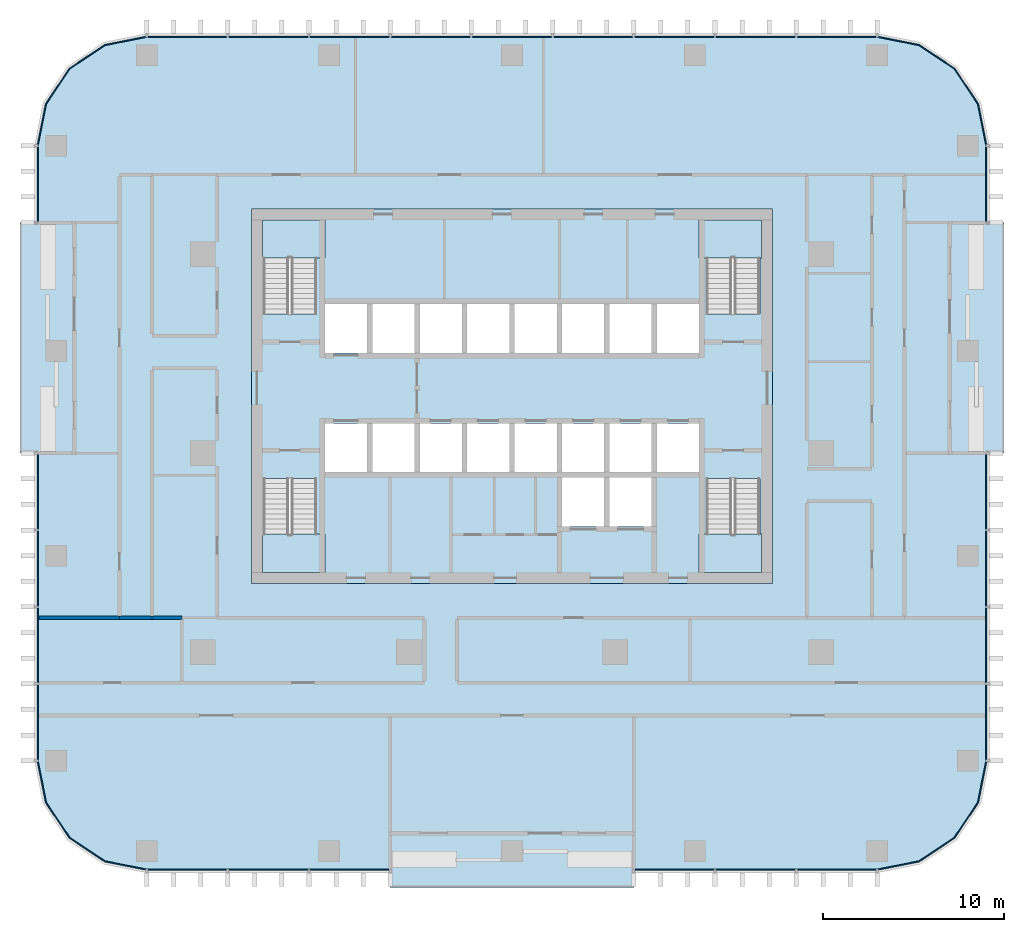
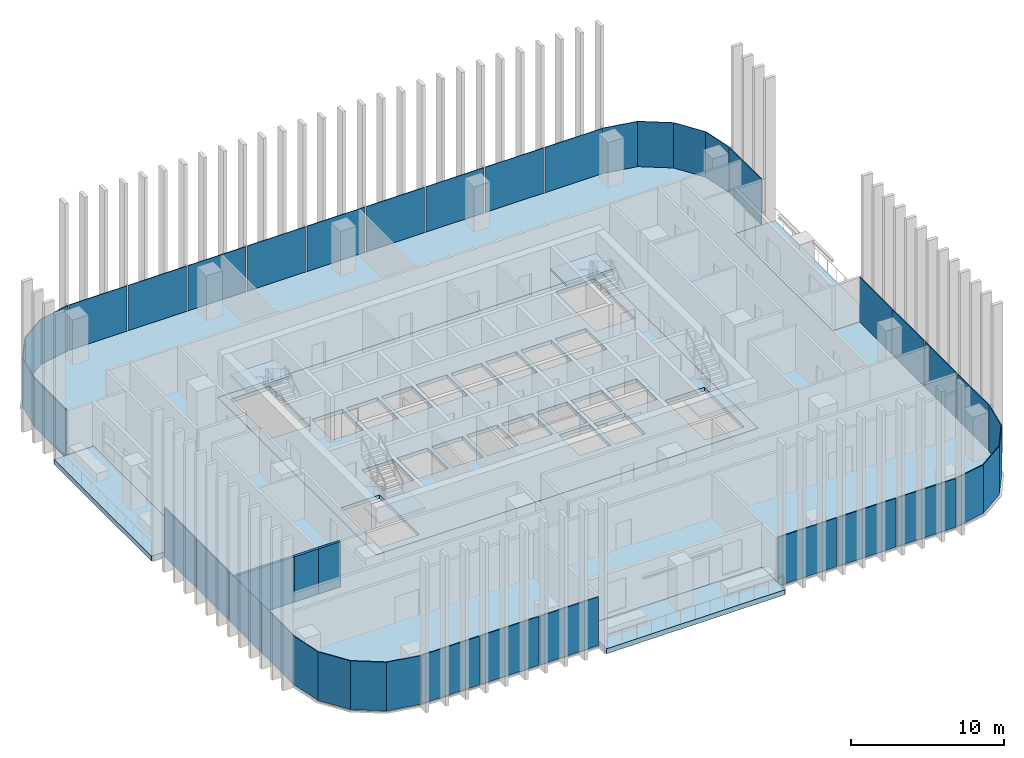
# One storey, part 6 of 15: 29 plates, 9 slabs, 3 walls, 15 elements without a shape of their own.
"""IFC4 building model written with IfcOpenShell, lengths in metres."""

from ifc_helpers import new_model, si_unit, direction, frame, frame_2d, origin, origin_2d, place, context, subcontext, project, spatial, polyline, rectangle, outline, extrude, material, layer, layer_set, type_object, element, aggregate, save


model = new_model("IFC4")

# Units and contexts
model_context = context("Model", 3, precision=1e-05, world=origin(), true_north=direction((0.0, 1.0)))
body_context = subcontext(model_context, "Body", "Model", "MODEL_VIEW")
ifc_project = project(units=[si_unit("LENGTHUNIT", "METRE"), si_unit("AREAUNIT", "SQUARE_METRE"), si_unit("VOLUMEUNIT", "CUBIC_METRE"), si_unit("PLANEANGLEUNIT", "RADIAN"), si_unit("MASSUNIT", "GRAM", prefix="KILO")], contexts=[model_context])

# Site, building, storey
site_placement = place(None, origin())
site = spatial("IfcSite", under=ifc_project, at=site_placement, CompositionType="ELEMENT")
building_placement = place(site_placement, origin())
building = spatial("IfcBuilding", under=site, at=building_placement, Name="Mopane Tessera Tower", CompositionType="ELEMENT")
storey_placement = place(building_placement, frame((0.0, 0.0, 169.0)))
storey = spatial("IfcBuildingStorey", under=building, at=storey_placement, Name="L34", CompositionType="ELEMENT", Elevation=169.0)

# Slab
ifc_material_1 = material(Name="Concrete C40/50", Category="concrete")
ifc_layer_1 = layer(ifc_material_1, 0.300048828125)
ifc_layer_set_1 = layer_set([ifc_layer_1], Name="Concrete C40/50")
slab_type_1 = type_object("IfcSlabType", Name="Core floor slab 300 mm", PredefinedType="FLOOR", material=ifc_layer_set_1)
slab_1_placement = place(storey_placement, frame((0.0, 0.0, -0.300048828125)))
element("IfcSlab", 1, at=slab_1_placement, inside=storey, type_object=slab_type_1, Name="L34 core floor slab", PredefinedType="FLOOR", context=body_context, shape_type="SweptSolid", body=[
    extrude(outline(polyline([(-14.39990234375, -7.199951171875), (14.39990234375, -7.199951171875), (14.39990234375, 13.5), (-14.39990234375, 13.5), (-14.39990234375, -7.199951171875)]), holes=[polyline([(-10.35009765625, -1.050048828125), (-8.02490234375, -1.050048828125), (-8.02490234375, 1.64990234375), (-10.35009765625, 1.64990234375), (-10.35009765625, -1.050048828125)]), polyline([(-7.72509765625, -1.050048828125), (-5.39990234375, -1.050048828125), (-5.39990234375, 1.64990234375), (-7.72509765625, 1.64990234375), (-7.72509765625, -1.050048828125)]), polyline([(-5.10009765625, -1.050048828125), (-2.77490234375, -1.050048828125), (-2.77490234375, 1.64990234375), (-5.10009765625, 1.64990234375), (-5.10009765625, -1.050048828125)]), polyline([(-2.47509765625, -1.050048828125), (-0.14990234375, -1.050048828125), (-0.14990234375, 1.64990234375), (-2.47509765625, 1.64990234375), (-2.47509765625, -1.050048828125)]), polyline([(0.14990234375, -1.050048828125), (2.47509765625, -1.050048828125), (2.47509765625, 1.64990234375), (0.14990234375, 1.64990234375), (0.14990234375, -1.050048828125)]), polyline([(2.77490234375, -1.050048828125), (5.10009765625, -1.050048828125), (5.10009765625, 1.64990234375), (2.77490234375, 1.64990234375), (2.77490234375, -1.050048828125)]), polyline([(5.39990234375, -1.050048828125), (7.72509765625, -1.050048828125), (7.72509765625, 1.64990234375), (5.39990234375, 1.64990234375), (5.39990234375, -1.050048828125)]), polyline([(8.02490234375, -1.050048828125), (10.35009765625, -1.050048828125), (10.35009765625, 1.64990234375), (8.02490234375, 1.64990234375), (8.02490234375, -1.050048828125)]), polyline([(-10.35009765625, 5.550048828125), (-8.02490234375, 5.550048828125), (-8.02490234375, 8.25), (-10.35009765625, 8.25), (-10.35009765625, 5.550048828125)]), polyline([(-7.72509765625, 5.550048828125), (-5.39990234375, 5.550048828125), (-5.39990234375, 8.25), (-7.72509765625, 8.25), (-7.72509765625, 5.550048828125)]), polyline([(-5.10009765625, 5.550048828125), (-2.77490234375, 5.550048828125), (-2.77490234375, 8.25), (-5.10009765625, 8.25), (-5.10009765625, 5.550048828125)]), polyline([(-2.47509765625, 5.550048828125), (-0.14990234375, 5.550048828125), (-0.14990234375, 8.25), (-2.47509765625, 8.25), (-2.47509765625, 5.550048828125)]), polyline([(0.14990234375, 5.550048828125), (2.47509765625, 5.550048828125), (2.47509765625, 8.25), (0.14990234375, 8.25), (0.14990234375, 5.550048828125)]), polyline([(2.77490234375, 5.550048828125), (5.10009765625, 5.550048828125), (5.10009765625, 8.25), (2.77490234375, 8.25), (2.77490234375, 5.550048828125)]), polyline([(5.39990234375, 5.550048828125), (7.72509765625, 5.550048828125), (7.72509765625, 8.25), (5.39990234375, 8.25), (5.39990234375, 5.550048828125)]), polyline([(8.02490234375, 5.550048828125), (10.35009765625, 5.550048828125), (10.35009765625, 8.25), (8.02490234375, 8.25), (8.02490234375, 5.550048828125)]), polyline([(2.77490234375, -4.050048828125), (5.10009765625, -4.050048828125), (5.10009765625, -1.35009765625), (2.77490234375, -1.35009765625), (2.77490234375, -4.050048828125)]), polyline([(5.39990234375, -4.050048828125), (7.72509765625, -4.050048828125), (7.72509765625, -1.35009765625), (5.39990234375, -1.35009765625), (5.39990234375, -4.050048828125)]), polyline([(-13.75, -1.405029296875), (-13.75, -6.60009765625), (-10.800048828125, -6.60009765625), (-10.800048828125, -1.405029296875), (-13.75, -1.405029296875)]), polyline([(-10.800048828125, 7.705078125), (-10.800048828125, 12.89990234375), (-13.75, 12.89990234375), (-13.75, 7.705078125), (-10.800048828125, 7.705078125)]), polyline([(10.75, -1.405029296875), (10.75, -6.60009765625), (13.699951171875, -6.60009765625), (13.699951171875, -1.405029296875), (10.75, -1.405029296875)]), polyline([(13.699951171875, 7.705078125), (13.699951171875, 12.89990234375), (10.75, 12.89990234375), (10.75, 7.705078125), (13.699951171875, 7.705078125)])]), origin(), (0.0, 0.0, 1.0), 0.300048828125),
])

# Stair, slab
ifc_material_2 = material(Name="Concrete C50/60", Category="concrete")
stair_type = type_object("IfcStairType", Name="Escape stair 1400 mm, riser 167 mm", PredefinedType="HALF_TURN_STAIR", material=ifc_material_2)
stair_1_placement = place(storey_placement, origin())
stair_1 = element("IfcStair", 2, at=stair_1_placement, inside=storey, type_object=stair_type, Name="L34 Escape stair south-west", PredefinedType="HALF_TURN_STAIR")
ifc_material_3 = material(Name="Concrete C50/60", Category="concrete")
ifc_layer_2 = layer(ifc_material_3, 0.199951171875)
ifc_layer_set_2 = layer_set([ifc_layer_2], Name="Concrete C50/60")
slab_type_2 = type_object("IfcSlabType", Name="Escape stair landing 200 mm", PredefinedType="LANDING", material=ifc_layer_set_2)
slab_2_placement = place(storey_placement, frame((0.0, 0.0, 1.800048828125)))
slab_2 = element("IfcSlab", 3, at=slab_2_placement, type_object=slab_type_2, Name="ST1 landing 1", PredefinedType="LANDING", context=body_context, shape_type="SweptSolid", body=[
    extrude(outline(polyline([(-13.800048828125, -4.47998046875), (-13.800048828125, -6.60009765625), (-10.35009765625, -6.60009765625), (-10.35009765625, -4.47998046875), (-13.800048828125, -4.47998046875)])), origin(), (0.0, 0.0, 1.0), 0.199951171875),
])
aggregate(stair_1, [slab_2])

stair_2_placement = place(storey_placement, origin())
stair_2 = element("IfcStair", 4, at=stair_2_placement, inside=storey, type_object=stair_type, Name="L34 Escape stair north-west", PredefinedType="HALF_TURN_STAIR")
slab_3_placement = place(storey_placement, frame((0.0, 0.0, 1.800048828125)))
slab_3 = element("IfcSlab", 5, at=slab_3_placement, type_object=slab_type_2, Name="ST2 landing 1", PredefinedType="LANDING", context=body_context, shape_type="SweptSolid", body=[
    extrude(outline(polyline([(-10.35009765625, 10.780029296875), (-10.35009765625, 12.89990234375), (-13.800048828125, 12.89990234375), (-13.800048828125, 10.780029296875), (-10.35009765625, 10.780029296875)])), origin(), (0.0, 0.0, 1.0), 0.199951171875),
])
aggregate(stair_2, [slab_3])

stair_3_placement = place(storey_placement, origin())
stair_3 = element("IfcStair", 6, at=stair_3_placement, inside=storey, type_object=stair_type, Name="L34 Escape stair south-east", PredefinedType="HALF_TURN_STAIR")
slab_4_placement = place(storey_placement, frame((0.0, 0.0, 1.800048828125)))
slab_4 = element("IfcSlab", 7, at=slab_4_placement, type_object=slab_type_2, Name="ST3 landing 1", PredefinedType="LANDING", context=body_context, shape_type="SweptSolid", body=[
    extrude(outline(polyline([(10.35009765625, -4.47998046875), (10.35009765625, -6.60009765625), (13.800048828125, -6.60009765625), (13.800048828125, -4.47998046875), (10.35009765625, -4.47998046875)])), origin(), (0.0, 0.0, 1.0), 0.199951171875),
])
aggregate(stair_3, [slab_4])

stair_4_placement = place(storey_placement, origin())
stair_4 = element("IfcStair", 8, at=stair_4_placement, inside=storey, type_object=stair_type, Name="L34 Escape stair north-east", PredefinedType="HALF_TURN_STAIR")
slab_5_placement = place(storey_placement, frame((0.0, 0.0, 1.800048828125)))
slab_5 = element("IfcSlab", 9, at=slab_5_placement, type_object=slab_type_2, Name="ST4 landing 1", PredefinedType="LANDING", context=body_context, shape_type="SweptSolid", body=[
    extrude(outline(polyline([(13.800048828125, 10.780029296875), (13.800048828125, 12.89990234375), (10.35009765625, 12.89990234375), (10.35009765625, 10.780029296875), (13.800048828125, 10.780029296875)])), origin(), (0.0, 0.0, 1.0), 0.199951171875),
])
aggregate(stair_4, [slab_5])

# Slabs
ifc_material_4 = material(Name="Concrete C40/50", Category="concrete")
ifc_layer_3 = layer(ifc_material_4, 0.39990234375)
ifc_layer_set_3 = layer_set([ifc_layer_3], Name="Concrete C40/50")
slab_type_3 = type_object("IfcSlabType", Name="Planted terrace slab 400 mm", PredefinedType="FLOOR", material=ifc_layer_set_3)
slab_6_placement = place(storey_placement, frame((0.0, 0.0, -0.39990234375)))
element("IfcSlab", 10, at=slab_6_placement, inside=storey, type_object=slab_type_3, Name="Terrace slab N1 L34", PredefinedType="FLOOR", context=body_context, shape_type="SweptSolid", body=[
    extrude(outline(polyline([(-27.199951171875, 0.0), (-24.199951171875, 0.0), (-24.199951171875, 12.75), (-27.199951171875, 12.75), (-27.199951171875, 0.0)])), origin(), (0.0, 0.0, 1.0), 0.39990234375),
])
slab_7_placement = place(storey_placement, frame((0.0, 0.0, -0.39990234375)))
element("IfcSlab", 11, at=slab_7_placement, inside=storey, type_object=slab_type_3, Name="Terrace slab N2 L34", PredefinedType="FLOOR", context=body_context, shape_type="SweptSolid", body=[
    extrude(outline(polyline([(6.7333984375, -24.0), (6.7333984375, -21.0), (-6.7333984375, -21.0), (-6.7333984375, -24.0), (6.7333984375, -24.0)])), origin(), (0.0, 0.0, 1.0), 0.39990234375),
])
slab_8_placement = place(storey_placement, frame((0.0, 0.0, -0.39990234375)))
element("IfcSlab", 12, at=slab_8_placement, inside=storey, type_object=slab_type_3, Name="Terrace slab N3 L34", PredefinedType="FLOOR", context=body_context, shape_type="SweptSolid", body=[
    extrude(outline(polyline([(27.199951171875, 12.75), (24.199951171875, 12.75), (24.199951171875, 0.0), (27.199951171875, 0.0), (27.199951171875, 12.75)])), origin(), (0.0, 0.0, 1.0), 0.39990234375),
])
ifc_material_5 = material(Name="Concrete C40/50", Category="concrete")
ifc_layer_4 = layer(ifc_material_5, 0.39990234375)
ifc_layer_set_4 = layer_set([ifc_layer_4], Name="Concrete C40/50")
slab_type_4 = type_object("IfcSlabType", Name="Post-tensioned flat plate 400 mm", PredefinedType="FLOOR", material=ifc_layer_set_4)
slab_9_placement = place(storey_placement, frame((0.0, 0.0, -0.39990234375)))
element("IfcSlab", 13, at=slab_9_placement, inside=storey, type_object=slab_type_4, Name="Floor slab L34", PredefinedType="FLOOR", context=body_context, shape_type="SweptSolid", body=[
    extrude(outline(polyline([(-20.199951171875, -23.0), (-6.7333984375, -23.0), (-6.7333984375, -21.0), (6.7333984375, -21.0), (6.7333984375, -23.0), (20.199951171875, -23.0), (22.49609375, -22.543212890625), (24.442626953125, -21.24267578125), (25.7431640625, -19.296142578125), (26.199951171875, -17.0), (26.199951171875, 0.0), (24.199951171875, 0.0), (24.199951171875, 12.75), (26.199951171875, 12.75), (26.199951171875, 17.0), (25.7431640625, 19.296142578125), (24.442626953125, 21.24267578125), (22.49609375, 22.543212890625), (20.199951171875, 23.0), (-20.199951171875, 23.0), (-22.49609375, 22.543212890625), (-24.442626953125, 21.24267578125), (-25.7431640625, 19.296142578125), (-26.199951171875, 17.0), (-26.199951171875, 12.75), (-24.199951171875, 12.75), (-24.199951171875, 0.0), (-26.199951171875, 0.0), (-26.199951171875, -17.0), (-25.7431640625, -19.296142578125), (-24.442626953125, -21.24267578125), (-22.49609375, -22.543212890625), (-20.199951171875, -23.0)]), holes=[polyline([(14.39990234375, -7.199951171875), (-14.39990234375, -7.199951171875), (-14.39990234375, 13.5), (14.39990234375, 13.5), (14.39990234375, -7.199951171875)])]), origin(), (0.0, 0.0, 1.0), 0.39990234375),
])

# Curtain wall, plates
ifc_material_6 = material(Name="Aluminium frame", Category="aluminium")
curtain_wall_type = type_object("IfcCurtainWallType", Name="Unitised curtain wall", PredefinedType="NOTDEFINED", material=ifc_material_6)
curtain_wall_1_placement = place(storey_placement, origin())
curtain_wall_1 = element("IfcCurtainWall", 14, at=curtain_wall_1_placement, inside=storey, type_object=curtain_wall_type, Name="e:cw:L34:S:0", PredefinedType="NOTDEFINED")
ifc_material_7 = material(Name="Clear laminated glass", Category="glass")
ifc_layer_5 = layer(ifc_material_7, 0.06005859375)
ifc_layer_set_5 = layer_set([ifc_layer_5], Name="Clear laminated glass")
plate_type = type_object("IfcPlateType", Name="Unitised glazed unit", PredefinedType="CURTAIN_PANEL", material=ifc_layer_set_5)
plate_1_placement = place(storey_placement, frame((-17.95556640625, -23.030029296875, -0.280029296875), z_axis=(0.0, 0.0, 1.0), x_axis=(1.0, 0.0, 0.0)))
plate_1 = element("IfcPlate", 15, at=plate_1_placement, type_object=plate_type, Name="e:cw:L34:S:0:pn0", PredefinedType="CURTAIN_PANEL", context=body_context, shape_type="SweptSolid", body=[
    extrude(rectangle(XDim=4.388916015625, YDim=0.06005859375, at=origin_2d()), origin(), (0.0, 0.0, 1.0), 3.8798828125),
])
plate_2_placement = place(storey_placement, frame((-13.466552734375, -23.030029296875, -0.280029296875), z_axis=(0.0, 0.0, 1.0), x_axis=(1.0, 0.0, 0.0)))
plate_2 = element("IfcPlate", 16, at=plate_2_placement, type_object=plate_type, Name="e:cw:L34:S:0:pn1", PredefinedType="CURTAIN_PANEL", context=body_context, shape_type="SweptSolid", body=[
    extrude(rectangle(XDim=4.388916015625, YDim=0.06005859375, at=origin_2d()), origin(), (0.0, 0.0, 1.0), 3.8798828125),
])
plate_3_placement = place(storey_placement, frame((-8.977783203125, -23.030029296875, -0.280029296875), z_axis=(0.0, 0.0, 1.0), x_axis=(1.0, 0.0, 0.0)))
plate_3 = element("IfcPlate", 17, at=plate_3_placement, type_object=plate_type, Name="e:cw:L34:S:0:pn2", PredefinedType="CURTAIN_PANEL", context=body_context, shape_type="SweptSolid", body=[
    extrude(rectangle(XDim=4.388916015625, YDim=0.06005859375, at=origin_2d()), origin(), (0.0, 0.0, 1.0), 3.8798828125),
])
aggregate(curtain_wall_1, [plate_1, plate_2, plate_3])

curtain_wall_2_placement = place(storey_placement, origin())
curtain_wall_2 = element("IfcCurtainWall", 18, at=curtain_wall_2_placement, inside=storey, type_object=curtain_wall_type, Name="e:cw:L34:S:6", PredefinedType="NOTDEFINED")
plate_4_placement = place(storey_placement, frame((8.977783203125, -23.030029296875, -0.280029296875), z_axis=(0.0, 0.0, 1.0), x_axis=(1.0, 0.0, 0.0)))
plate_4 = element("IfcPlate", 19, at=plate_4_placement, type_object=plate_type, Name="e:cw:L34:S:6:pn6", PredefinedType="CURTAIN_PANEL", context=body_context, shape_type="SweptSolid", body=[
    extrude(rectangle(XDim=4.388916015625, YDim=0.06005859375, at=origin_2d()), origin(), (0.0, 0.0, 1.0), 3.8798828125),
])
plate_5_placement = place(storey_placement, frame((13.466552734375, -23.030029296875, -0.280029296875), z_axis=(0.0, 0.0, 1.0), x_axis=(1.0, 0.0, 0.0)))
plate_5 = element("IfcPlate", 20, at=plate_5_placement, type_object=plate_type, Name="e:cw:L34:S:6:pn7", PredefinedType="CURTAIN_PANEL", context=body_context, shape_type="SweptSolid", body=[
    extrude(rectangle(XDim=4.388916015625, YDim=0.06005859375, at=origin_2d()), origin(), (0.0, 0.0, 1.0), 3.8798828125),
])
plate_6_placement = place(storey_placement, frame((17.95556640625, -23.030029296875, -0.280029296875), z_axis=(0.0, 0.0, 1.0), x_axis=(1.0, 0.0, 0.0)))
plate_6 = element("IfcPlate", 21, at=plate_6_placement, type_object=plate_type, Name="e:cw:L34:S:6:pn8", PredefinedType="CURTAIN_PANEL", context=body_context, shape_type="SweptSolid", body=[
    extrude(rectangle(XDim=4.388916015625, YDim=0.06005859375, at=origin_2d()), origin(), (0.0, 0.0, 1.0), 3.8798828125),
])
aggregate(curtain_wall_2, [plate_4, plate_5, plate_6])

# Curtain wall, plate
curtain_wall_3_placement = place(storey_placement, origin())
curtain_wall_3 = element("IfcCurtainWall", 22, at=curtain_wall_3_placement, inside=storey, type_object=curtain_wall_type, Name="e:cw:L34:CS", PredefinedType="NOTDEFINED")
plate_7_placement = place(storey_placement, frame((0.0, 0.0, -0.280029296875)))
plate_7 = element("IfcPlate", 23, at=plate_7_placement, type_object=plate_type, Name="e:cw:L34:CS:pn", PredefinedType="CURTAIN_PANEL", context=body_context, shape_type="SweptSolid", body=[
    extrude(outline(polyline([(20.199951171875, -23.0), (22.49609375, -22.543212890625), (24.442626953125, -21.24267578125), (25.7431640625, -19.296142578125), (26.199951171875, -17.0), (26.260009765625, -17.0), (25.798828125, -19.319091796875), (24.485107421875, -21.28515625), (22.51904296875, -22.5986328125), (20.199951171875, -23.06005859375), (20.199951171875, -23.0)])), origin(), (0.0, 0.0, 1.0), 3.880126953125),
])
aggregate(curtain_wall_3, [plate_7])

# Curtain wall, plates
curtain_wall_4_placement = place(storey_placement, origin())
curtain_wall_4 = element("IfcCurtainWall", 24, at=curtain_wall_4_placement, inside=storey, type_object=curtain_wall_type, Name="e:cw:L34:E:0", PredefinedType="NOTDEFINED")
plate_8_placement = place(storey_placement, frame((26.22998046875, -14.875, -0.280029296875), z_axis=(0.0, 0.0, 1.0), x_axis=(0.0, 1.0, 0.0)))
plate_8 = element("IfcPlate", 25, at=plate_8_placement, type_object=plate_type, Name="e:cw:L34:E:0:pn0", PredefinedType="CURTAIN_PANEL", context=body_context, shape_type="SweptSolid", body=[
    extrude(rectangle(XDim=4.14990234375, YDim=0.06005859375, at=origin_2d()), origin(), (0.0, 0.0, 1.0), 3.8798828125),
])
plate_9_placement = place(storey_placement, frame((26.22998046875, -10.625, -0.280029296875), z_axis=(0.0, 0.0, 1.0), x_axis=(0.0, 1.0, 0.0)))
plate_9 = element("IfcPlate", 26, at=plate_9_placement, type_object=plate_type, Name="e:cw:L34:E:0:pn1", PredefinedType="CURTAIN_PANEL", context=body_context, shape_type="SweptSolid", body=[
    extrude(rectangle(XDim=4.14990234375, YDim=0.06005859375, at=origin_2d()), origin(), (0.0, 0.0, 1.0), 3.8798828125),
])
plate_10_placement = place(storey_placement, frame((26.22998046875, -6.375, -0.280029296875), z_axis=(0.0, 0.0, 1.0), x_axis=(0.0, 1.0, 0.0)))
plate_10 = element("IfcPlate", 27, at=plate_10_placement, type_object=plate_type, Name="e:cw:L34:E:0:pn2", PredefinedType="CURTAIN_PANEL", context=body_context, shape_type="SweptSolid", body=[
    extrude(rectangle(XDim=4.14990234375, YDim=0.06005859375, at=origin_2d()), origin(), (0.0, 0.0, 1.0), 3.8798828125),
])
plate_11_placement = place(storey_placement, frame((26.22998046875, -2.125, -0.280029296875), z_axis=(0.0, 0.0, 1.0), x_axis=(0.0, 1.0, 0.0)))
plate_11 = element("IfcPlate", 28, at=plate_11_placement, type_object=plate_type, Name="e:cw:L34:E:0:pn3", PredefinedType="CURTAIN_PANEL", context=body_context, shape_type="SweptSolid", body=[
    extrude(rectangle(XDim=4.14990234375, YDim=0.06005859375, at=origin_2d()), origin(), (0.0, 0.0, 1.0), 3.8798828125),
])
aggregate(curtain_wall_4, [plate_8, plate_9, plate_10, plate_11])

# Curtain wall, plate
curtain_wall_5_placement = place(storey_placement, origin())
curtain_wall_5 = element("IfcCurtainWall", 29, at=curtain_wall_5_placement, inside=storey, type_object=curtain_wall_type, Name="e:cw:L34:E:7", PredefinedType="NOTDEFINED")
plate_12_placement = place(storey_placement, frame((26.22998046875, 14.875, -0.280029296875), z_axis=(0.0, 0.0, 1.0), x_axis=(0.0, 1.0, 0.0)))
plate_12 = element("IfcPlate", 30, at=plate_12_placement, type_object=plate_type, Name="e:cw:L34:E:7:pn7", PredefinedType="CURTAIN_PANEL", context=body_context, shape_type="SweptSolid", body=[
    extrude(rectangle(XDim=4.14990234375, YDim=0.06005859375, at=origin_2d()), origin(), (0.0, 0.0, 1.0), 3.8798828125),
])
aggregate(curtain_wall_5, [plate_12])

curtain_wall_6_placement = place(storey_placement, origin())
curtain_wall_6 = element("IfcCurtainWall", 31, at=curtain_wall_6_placement, inside=storey, type_object=curtain_wall_type, Name="e:cw:L34:CE", PredefinedType="NOTDEFINED")
plate_13_placement = place(storey_placement, frame((0.0, 0.0, -0.280029296875)))
plate_13 = element("IfcPlate", 32, at=plate_13_placement, type_object=plate_type, Name="e:cw:L34:CE:pn", PredefinedType="CURTAIN_PANEL", context=body_context, shape_type="SweptSolid", body=[
    extrude(outline(polyline([(26.199951171875, 17.0), (25.7431640625, 19.296142578125), (24.442626953125, 21.24267578125), (22.49609375, 22.543212890625), (20.199951171875, 23.0), (20.199951171875, 23.06005859375), (22.51904296875, 22.5986328125), (24.485107421875, 21.28515625), (25.798828125, 19.319091796875), (26.260009765625, 17.0), (26.199951171875, 17.0)])), origin(), (0.0, 0.0, 1.0), 3.880126953125),
])
aggregate(curtain_wall_6, [plate_13])

# Curtain wall, plates
curtain_wall_7_placement = place(storey_placement, origin())
curtain_wall_7 = element("IfcCurtainWall", 33, at=curtain_wall_7_placement, inside=storey, type_object=curtain_wall_type, Name="e:cw:L34:N:0", PredefinedType="NOTDEFINED")
plate_14_placement = place(storey_placement, frame((17.95556640625, 23.030029296875, -0.280029296875), z_axis=(0.0, 0.0, 1.0), x_axis=(-1.0, 0.0, 0.0)))
plate_14 = element("IfcPlate", 34, at=plate_14_placement, type_object=plate_type, Name="e:cw:L34:N:0:pn0", PredefinedType="CURTAIN_PANEL", context=body_context, shape_type="SweptSolid", body=[
    extrude(rectangle(XDim=4.388916015625, YDim=0.06005859375, at=origin_2d()), origin(), (0.0, 0.0, 1.0), 3.8798828125),
])
plate_15_placement = place(storey_placement, frame((13.466552734375, 23.030029296875, -0.280029296875), z_axis=(0.0, 0.0, 1.0), x_axis=(-1.0, 0.0, 0.0)))
plate_15 = element("IfcPlate", 35, at=plate_15_placement, type_object=plate_type, Name="e:cw:L34:N:0:pn1", PredefinedType="CURTAIN_PANEL", context=body_context, shape_type="SweptSolid", body=[
    extrude(rectangle(XDim=4.388916015625, YDim=0.06005859375, at=origin_2d()), origin(), (0.0, 0.0, 1.0), 3.8798828125),
])
plate_16_placement = place(storey_placement, frame((8.977783203125, 23.030029296875, -0.280029296875), z_axis=(0.0, 0.0, 1.0), x_axis=(-1.0, 0.0, 0.0)))
plate_16 = element("IfcPlate", 36, at=plate_16_placement, type_object=plate_type, Name="e:cw:L34:N:0:pn2", PredefinedType="CURTAIN_PANEL", context=body_context, shape_type="SweptSolid", body=[
    extrude(rectangle(XDim=4.388916015625, YDim=0.06005859375, at=origin_2d()), origin(), (0.0, 0.0, 1.0), 3.8798828125),
])
plate_17_placement = place(storey_placement, frame((4.48876953125, 23.030029296875, -0.280029296875), z_axis=(0.0, 0.0, 1.0), x_axis=(-1.0, 0.0, 0.0)))
plate_17 = element("IfcPlate", 37, at=plate_17_placement, type_object=plate_type, Name="e:cw:L34:N:0:pn3", PredefinedType="CURTAIN_PANEL", context=body_context, shape_type="SweptSolid", body=[
    extrude(rectangle(XDim=4.388916015625, YDim=0.06005859375, at=origin_2d()), origin(), (0.0, 0.0, 1.0), 3.8798828125),
])
plate_18_placement = place(storey_placement, frame((0.0, 23.030029296875, -0.280029296875), z_axis=(0.0, 0.0, 1.0), x_axis=(-1.0, 0.0, 0.0)))
plate_18 = element("IfcPlate", 38, at=plate_18_placement, type_object=plate_type, Name="e:cw:L34:N:0:pn4", PredefinedType="CURTAIN_PANEL", context=body_context, shape_type="SweptSolid", body=[
    extrude(rectangle(XDim=4.388916015625, YDim=0.06005859375, at=origin_2d()), origin(), (0.0, 0.0, 1.0), 3.8798828125),
])
plate_19_placement = place(storey_placement, frame((-4.48876953125, 23.030029296875, -0.280029296875), z_axis=(0.0, 0.0, 1.0), x_axis=(-1.0, 0.0, 0.0)))
plate_19 = element("IfcPlate", 39, at=plate_19_placement, type_object=plate_type, Name="e:cw:L34:N:0:pn5", PredefinedType="CURTAIN_PANEL", context=body_context, shape_type="SweptSolid", body=[
    extrude(rectangle(XDim=4.388916015625, YDim=0.06005859375, at=origin_2d()), origin(), (0.0, 0.0, 1.0), 3.8798828125),
])
plate_20_placement = place(storey_placement, frame((-8.977783203125, 23.030029296875, -0.280029296875), z_axis=(0.0, 0.0, 1.0), x_axis=(-1.0, 0.0, 0.0)))
plate_20 = element("IfcPlate", 40, at=plate_20_placement, type_object=plate_type, Name="e:cw:L34:N:0:pn6", PredefinedType="CURTAIN_PANEL", context=body_context, shape_type="SweptSolid", body=[
    extrude(rectangle(XDim=4.388916015625, YDim=0.06005859375, at=origin_2d()), origin(), (0.0, 0.0, 1.0), 3.8798828125),
])
plate_21_placement = place(storey_placement, frame((-13.466552734375, 23.030029296875, -0.280029296875), z_axis=(0.0, 0.0, 1.0), x_axis=(-1.0, 0.0, 0.0)))
plate_21 = element("IfcPlate", 41, at=plate_21_placement, type_object=plate_type, Name="e:cw:L34:N:0:pn7", PredefinedType="CURTAIN_PANEL", context=body_context, shape_type="SweptSolid", body=[
    extrude(rectangle(XDim=4.388916015625, YDim=0.06005859375, at=origin_2d()), origin(), (0.0, 0.0, 1.0), 3.8798828125),
])
plate_22_placement = place(storey_placement, frame((-17.95556640625, 23.030029296875, -0.280029296875), z_axis=(0.0, 0.0, 1.0), x_axis=(-1.0, 0.0, 0.0)))
plate_22 = element("IfcPlate", 42, at=plate_22_placement, type_object=plate_type, Name="e:cw:L34:N:0:pn8", PredefinedType="CURTAIN_PANEL", context=body_context, shape_type="SweptSolid", body=[
    extrude(rectangle(XDim=4.388916015625, YDim=0.06005859375, at=origin_2d()), origin(), (0.0, 0.0, 1.0), 3.8798828125),
])
aggregate(curtain_wall_7, [plate_14, plate_15, plate_16, plate_17, plate_18, plate_19, plate_20, plate_21, plate_22])

# Curtain wall, plate
curtain_wall_8_placement = place(storey_placement, origin())
curtain_wall_8 = element("IfcCurtainWall", 43, at=curtain_wall_8_placement, inside=storey, type_object=curtain_wall_type, Name="e:cw:L34:CN", PredefinedType="NOTDEFINED")
plate_23_placement = place(storey_placement, frame((0.0, 0.0, -0.280029296875)))
plate_23 = element("IfcPlate", 44, at=plate_23_placement, type_object=plate_type, Name="e:cw:L34:CN:pn", PredefinedType="CURTAIN_PANEL", context=body_context, shape_type="SweptSolid", body=[
    extrude(outline(polyline([(-20.199951171875, 23.0), (-22.49609375, 22.543212890625), (-24.442626953125, 21.24267578125), (-25.7431640625, 19.296142578125), (-26.199951171875, 17.0), (-26.260009765625, 17.0), (-25.798828125, 19.319091796875), (-24.485107421875, 21.28515625), (-22.51904296875, 22.5986328125), (-20.199951171875, 23.06005859375), (-20.199951171875, 23.0)])), origin(), (0.0, 0.0, 1.0), 3.880126953125),
])
aggregate(curtain_wall_8, [plate_23])

curtain_wall_9_placement = place(storey_placement, origin())
curtain_wall_9 = element("IfcCurtainWall", 45, at=curtain_wall_9_placement, inside=storey, type_object=curtain_wall_type, Name="e:cw:L34:W:0", PredefinedType="NOTDEFINED")
plate_24_placement = place(storey_placement, frame((-26.22998046875, 14.875, -0.280029296875), z_axis=(0.0, 0.0, 1.0), x_axis=(0.0, -1.0, 0.0)))
plate_24 = element("IfcPlate", 46, at=plate_24_placement, type_object=plate_type, Name="e:cw:L34:W:0:pn0", PredefinedType="CURTAIN_PANEL", context=body_context, shape_type="SweptSolid", body=[
    extrude(rectangle(XDim=4.14990234375, YDim=0.06005859375, at=origin_2d()), origin(), (0.0, 0.0, 1.0), 3.8798828125),
])
aggregate(curtain_wall_9, [plate_24])

# Curtain wall, plates
curtain_wall_10_placement = place(storey_placement, origin())
curtain_wall_10 = element("IfcCurtainWall", 47, at=curtain_wall_10_placement, inside=storey, type_object=curtain_wall_type, Name="e:cw:L34:W:4", PredefinedType="NOTDEFINED")
plate_25_placement = place(storey_placement, frame((-26.22998046875, -2.125, -0.280029296875), z_axis=(0.0, 0.0, 1.0), x_axis=(0.0, -1.0, 0.0)))
plate_25 = element("IfcPlate", 48, at=plate_25_placement, type_object=plate_type, Name="e:cw:L34:W:4:pn4", PredefinedType="CURTAIN_PANEL", context=body_context, shape_type="SweptSolid", body=[
    extrude(rectangle(XDim=4.14990234375, YDim=0.06005859375, at=origin_2d()), origin(), (0.0, 0.0, 1.0), 3.8798828125),
])
plate_26_placement = place(storey_placement, frame((-26.22998046875, -6.375, -0.280029296875), z_axis=(0.0, 0.0, 1.0), x_axis=(0.0, -1.0, 0.0)))
plate_26 = element("IfcPlate", 49, at=plate_26_placement, type_object=plate_type, Name="e:cw:L34:W:4:pn5", PredefinedType="CURTAIN_PANEL", context=body_context, shape_type="SweptSolid", body=[
    extrude(rectangle(XDim=4.14990234375, YDim=0.06005859375, at=origin_2d()), origin(), (0.0, 0.0, 1.0), 3.8798828125),
])
plate_27_placement = place(storey_placement, frame((-26.22998046875, -10.625, -0.280029296875), z_axis=(0.0, 0.0, 1.0), x_axis=(0.0, -1.0, 0.0)))
plate_27 = element("IfcPlate", 50, at=plate_27_placement, type_object=plate_type, Name="e:cw:L34:W:4:pn6", PredefinedType="CURTAIN_PANEL", context=body_context, shape_type="SweptSolid", body=[
    extrude(rectangle(XDim=4.14990234375, YDim=0.06005859375, at=origin_2d()), origin(), (0.0, 0.0, 1.0), 3.8798828125),
])
plate_28_placement = place(storey_placement, frame((-26.22998046875, -14.875, -0.280029296875), z_axis=(0.0, 0.0, 1.0), x_axis=(0.0, -1.0, 0.0)))
plate_28 = element("IfcPlate", 51, at=plate_28_placement, type_object=plate_type, Name="e:cw:L34:W:4:pn7", PredefinedType="CURTAIN_PANEL", context=body_context, shape_type="SweptSolid", body=[
    extrude(rectangle(XDim=4.14990234375, YDim=0.06005859375, at=origin_2d()), origin(), (0.0, 0.0, 1.0), 3.8798828125),
])
aggregate(curtain_wall_10, [plate_25, plate_26, plate_27, plate_28])

# Curtain wall, plate
curtain_wall_11_placement = place(storey_placement, origin())
curtain_wall_11 = element("IfcCurtainWall", 52, at=curtain_wall_11_placement, inside=storey, type_object=curtain_wall_type, Name="e:cw:L34:CW", PredefinedType="NOTDEFINED")
plate_29_placement = place(storey_placement, frame((0.0, 0.0, -0.280029296875)))
plate_29 = element("IfcPlate", 53, at=plate_29_placement, type_object=plate_type, Name="e:cw:L34:CW:pn", PredefinedType="CURTAIN_PANEL", context=body_context, shape_type="SweptSolid", body=[
    extrude(outline(polyline([(-26.199951171875, -17.0), (-25.7431640625, -19.296142578125), (-24.442626953125, -21.24267578125), (-22.49609375, -22.543212890625), (-20.199951171875, -23.0), (-20.199951171875, -23.06005859375), (-22.51904296875, -22.5986328125), (-24.485107421875, -21.28515625), (-25.798828125, -19.319091796875), (-26.260009765625, -17.0), (-26.199951171875, -17.0)])), origin(), (0.0, 0.0, 1.0), 3.880126953125),
])
aggregate(curtain_wall_11, [plate_29])

# Walls
ifc_material_8 = material(Name="Gypsum board on staggered steel studs, double layer each face, acoustic mineral wool infill", Category="steel")
ifc_layer_6 = layer(ifc_material_8, 0.175048828125)
ifc_layer_set_6 = layer_set([ifc_layer_6], Name="Gypsum board on staggered steel studs, double layer each face, acoustic mineral wool infill")
wall_type_1 = type_object("IfcWallType", Name="Gypsum board acoustic partition 175, rated EI 60", PredefinedType="PARTITIONING", material=ifc_layer_set_6)
wall_1_placement = place(storey_placement, frame((-26.14990234375, -9.10009765625, 0.0), z_axis=(0.0, 0.0, 1.0), x_axis=(1.0, 0.0, 0.0)))
element("IfcWall", 54, at=wall_1_placement, inside=storey, type_object=wall_type_1, Name="Partition L34:004", PredefinedType="PARTITIONING", context=body_context, shape_type="SweptSolid", body=[
    extrude(rectangle(XDim=4.449951171875, YDim=0.175048828125, at=frame_2d((2.22509765625, 0.0))), origin(), (0.0, 0.0, 1.0), 3.60009765625),
])
wall_2_placement = place(storey_placement, frame((-19.89990234375, -9.10009765625, 0.0), z_axis=(0.0, 0.0, 1.0), x_axis=(1.0, 0.0, 0.0)))
element("IfcWall", 55, at=wall_2_placement, inside=storey, type_object=wall_type_1, Name="Partition L34:005", PredefinedType="PARTITIONING", context=body_context, shape_type="SweptSolid", body=[
    extrude(rectangle(XDim=1.64501953125, YDim=0.175048828125, at=frame_2d((0.822509765625, 0.0))), origin(), (0.0, 0.0, 1.0), 3.60009765625),
])
ifc_material_9 = material(Name="Gypsum board on steel studs, two layers each face, mineral wool infill", Category="steel")
ifc_layer_7 = layer(ifc_material_9, 0.199951171875)
ifc_layer_set_7 = layer_set([ifc_layer_7], Name="Gypsum board on steel studs, two layers each face, mineral wool infill")
wall_type_2 = type_object("IfcWallType", Name="Gypsum board corridor wall 200, rated EI 60", PredefinedType="PARTITIONING", material=ifc_layer_set_7)
wall_3_placement = place(storey_placement, frame((-21.699951171875, -9.10009765625, 0.0), z_axis=(0.0, 0.0, 1.0), x_axis=(1.0, 0.0, 0.0)))
element("IfcWall", 56, at=wall_3_placement, inside=storey, type_object=wall_type_2, Name="Partition L34:008", PredefinedType="PARTITIONING", context=body_context, shape_type="SweptSolid", body=[
    extrude(rectangle(XDim=1.800048828125, YDim=0.199951171875, at=frame_2d((0.89990234375, 0.0))), origin(), (0.0, 0.0, 1.0), 3.60009765625),
])

save(model, "model.ifc")
